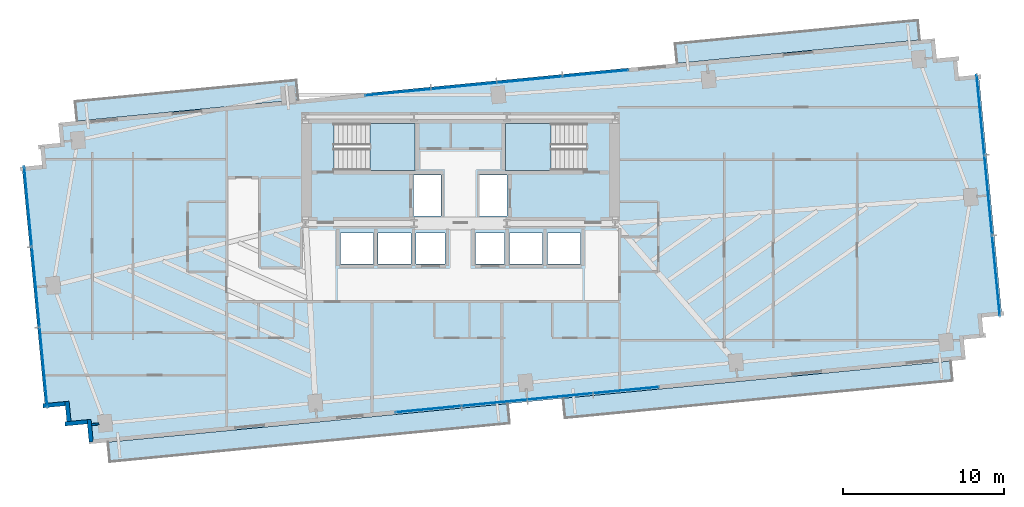
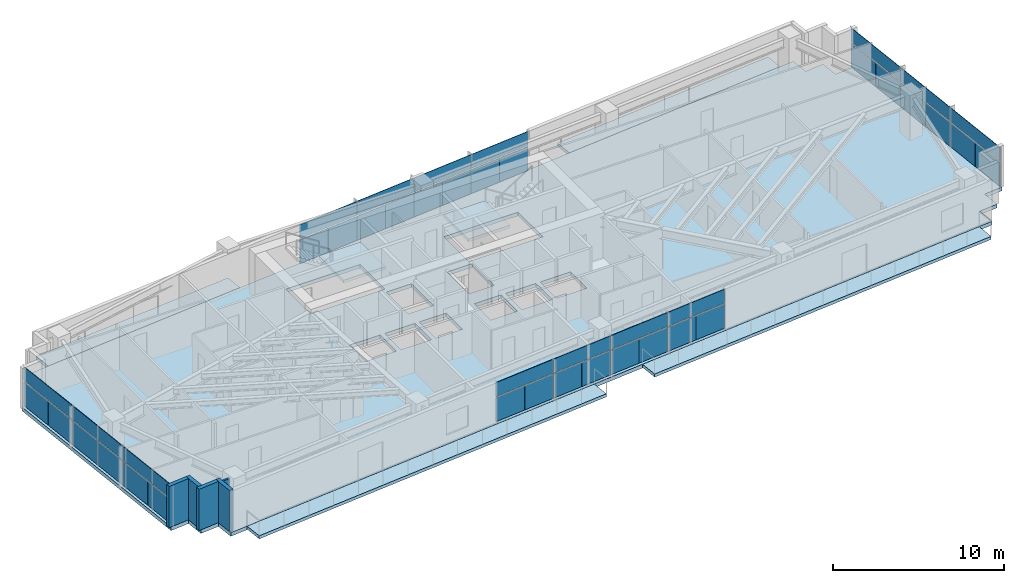
# One storey, part 18 of 25: 42 plates, 7 slabs, 5 walls, 6 elements without a shape of their own.
"""IFC4 building model written with IfcOpenShell, lengths in metres."""

from ifc_helpers import new_model, si_unit, direction, frame, frame_2d, origin, origin_2d, place, context, subcontext, project, spatial, polyline, rectangle, outline, extrude, source, transform, mapped, material, layer, layer_set, type_object, type_shapes, element, aggregate, save


model = new_model("IFC4")

# Units and contexts
model_context = context("Model", 3, precision=1e-05, world=origin(), true_north=direction((0.0, 1.0)))
body_context = subcontext(model_context, "Body", "Model", "MODEL_VIEW")
ifc_project = project(units=[si_unit("LENGTHUNIT", "METRE"), si_unit("AREAUNIT", "SQUARE_METRE"), si_unit("VOLUMEUNIT", "CUBIC_METRE"), si_unit("PLANEANGLEUNIT", "RADIAN"), si_unit("MASSUNIT", "GRAM", prefix="KILO")], contexts=[model_context])

# Site, building, storey
site_placement = place(None, origin())
site = spatial("IfcSite", under=ifc_project, at=site_placement, CompositionType="ELEMENT")
building_placement = place(site_placement, origin())
building = spatial("IfcBuilding", under=site, at=building_placement, Name="Astriad Promenade Condominiums", CompositionType="ELEMENT")
storey_placement = place(building_placement, frame((0.0, 0.0, 100.199951171875)))
storey = spatial("IfcBuildingStorey", under=building, at=storey_placement, Name="L28", CompositionType="ELEMENT", Elevation=100.199951171875)

# Slab
ifc_material_1 = material(Name="Concrete C50/60", Category="concrete")
ifc_layer_1 = layer(ifc_material_1, 0.260009765625)
ifc_layer_set_1 = layer_set([ifc_layer_1], Name="Concrete C50/60")
slab_type_1 = type_object("IfcSlabType", Name="CONCRETE TOWER FLOOR SLAB 260", PredefinedType="FLOOR", material=ifc_layer_set_1)
slab_1_placement = place(storey_placement, frame((0.0, 0.0, -0.260009765625)))
element("IfcSlab", 1, at=slab_1_placement, inside=storey, type_object=slab_type_1, Name="Structural Floor Slab (L28)", PredefinedType="FLOOR", context=body_context, shape_type="SweptSolid", body=[
    extrude(outline(polyline([(12.984130859375, 3.7294921875), (67.332763671875, 8.962646484375), (67.212890625, 10.206787109375), (68.457275390625, 10.32666015625), (68.33740234375, 11.57080078125), (69.58154296875, 11.690673828125), (68.14404296875, 26.62158203125), (66.899658203125, 26.501953125), (66.77978515625, 27.74609375), (65.53564453125, 27.626220703125), (65.416015625, 28.87060546875), (11.067138671875, 23.637451171875), (11.18701171875, 22.39306640625), (9.94287109375, 22.273193359375), (10.0625, 21.029052734375), (8.818359375, 20.9091796875), (10.256103515625, 5.978271484375), (11.500244140625, 6.09814453125), (11.6201171875, 4.85400390625), (12.8642578125, 4.9736328125), (12.984130859375, 3.7294921875)]), holes=[polyline([(28.175048828125, 20.699951171875), (33.175048828125, 20.699951171875), (33.175048828125, 23.60009765625), (28.175048828125, 23.60009765625), (28.175048828125, 20.699951171875)]), polyline([(38.824951171875, 20.699951171875), (43.824951171875, 20.699951171875), (43.824951171875, 23.60009765625), (38.824951171875, 23.60009765625), (38.824951171875, 20.699951171875)]), polyline([(33.10009765625, 17.85009765625), (34.800048828125, 17.85009765625), (34.800048828125, 20.39990234375), (33.10009765625, 20.39990234375), (33.10009765625, 17.85009765625)]), polyline([(37.199951171875, 17.85009765625), (38.89990234375, 17.85009765625), (38.89990234375, 20.39990234375), (37.199951171875, 20.39990234375), (37.199951171875, 17.85009765625)]), polyline([(28.550048828125, 14.89990234375), (30.60009765625, 14.89990234375), (30.60009765625, 16.800048828125), (28.550048828125, 16.800048828125), (28.550048828125, 14.89990234375)]), polyline([(30.89990234375, 14.89990234375), (32.949951171875, 14.89990234375), (32.949951171875, 16.800048828125), (30.89990234375, 16.800048828125), (30.89990234375, 14.89990234375)]), polyline([(33.25, 14.89990234375), (35.050048828125, 14.89990234375), (35.050048828125, 16.800048828125), (33.25, 16.800048828125), (33.25, 14.89990234375)]), polyline([(36.949951171875, 14.89990234375), (38.75, 14.89990234375), (38.75, 16.800048828125), (36.949951171875, 16.800048828125), (36.949951171875, 14.89990234375)]), polyline([(39.050048828125, 14.89990234375), (41.10009765625, 14.89990234375), (41.10009765625, 16.800048828125), (39.050048828125, 16.800048828125), (39.050048828125, 14.89990234375)]), polyline([(41.39990234375, 14.89990234375), (43.449951171875, 14.89990234375), (43.449951171875, 16.800048828125), (41.39990234375, 16.800048828125), (41.39990234375, 14.89990234375)])]), origin(), (0.0, 0.0, 1.0), 0.260009765625),
])

# Stair, slab
stair_type = type_object("IfcStairType", Name="STR-CORE-1350", PredefinedType="HALF_TURN_STAIR", material=ifc_material_1)
stair_1_placement = place(storey_placement, origin())
stair_1 = element("IfcStair", 2, at=stair_1_placement, inside=storey, type_object=stair_type, Name="L28 Enclosed Core Exit Stair ST-1", PredefinedType="HALF_TURN_STAIR")
ifc_layer_2 = layer(ifc_material_1, 0.219970703125)
ifc_layer_set_2 = layer_set([ifc_layer_2], Name="Concrete C50/60")
slab_type_2 = type_object("IfcSlabType", Name="SLB-LANDING-220", PredefinedType="LANDING", material=ifc_layer_set_2)
slab_2_placement = place(storey_placement, frame((0.0, 0.0, 1.400146484375)))
slab_2 = element("IfcSlab", 3, at=slab_2_placement, type_object=slab_type_2, Name="ST-1 landing 1", PredefinedType="LANDING", context=body_context, shape_type="SweptSolid", body=[
    extrude(outline(polyline([(30.389892578125, 20.699951171875), (33.199951171875, 20.699951171875), (33.199951171875, 23.60009765625), (30.389892578125, 23.60009765625), (30.389892578125, 20.699951171875)])), origin(), (0.0, 0.0, 1.0), 0.199951171875),
])
aggregate(stair_1, [slab_2])

stair_2_placement = place(storey_placement, origin())
stair_2 = element("IfcStair", 4, at=stair_2_placement, inside=storey, type_object=stair_type, Name="L28 Enclosed Core Exit Stair ST-2", PredefinedType="HALF_TURN_STAIR")
slab_3_placement = place(storey_placement, frame((0.0, 0.0, 1.400146484375)))
slab_3 = element("IfcSlab", 5, at=slab_3_placement, type_object=slab_type_2, Name="ST-2 landing 1", PredefinedType="LANDING", context=body_context, shape_type="SweptSolid", body=[
    extrude(outline(polyline([(41.610107421875, 23.60009765625), (38.800048828125, 23.60009765625), (38.800048828125, 20.699951171875), (41.610107421875, 20.699951171875), (41.610107421875, 23.60009765625)])), origin(), (0.0, 0.0, 1.0), 0.199951171875),
])
aggregate(stair_2, [slab_3])

# Slabs
ifc_material_2 = material(Name="Precast concrete C50/60", Category="concrete")
ifc_layer_3 = layer(ifc_material_2, 0.219970703125)
ifc_layer_set_3 = layer_set([ifc_layer_3], Name="Precast concrete C50/60")
slab_type_3 = type_object("IfcSlabType", Name="WHITE PRECAST CONCRETE WAVE BALCONY SLAB 220", PredefinedType="FLOOR", material=ifc_layer_set_3)
slab_4_placement = place(storey_placement, frame((0.0, 0.0, -0.219970703125)))
element("IfcSlab", 6, at=slab_4_placement, inside=storey, type_object=slab_type_3, Name="White Precast Wave Balcony Slab BAL-L28-SW", PredefinedType="FLOOR", context=body_context, shape_type="SweptSolid", body=[
    extrude(outline(polyline([(39.049072265625, 5.013671875), (14.2626953125, 2.626953125), (14.14599609375, 3.83935546875), (38.932373046875, 6.225830078125), (39.049072265625, 5.013671875)])), origin(), (0.0, 0.0, 1.0), 0.219970703125),
])
slab_5_placement = place(storey_placement, frame((0.0, 0.0, -0.219970703125)))
element("IfcSlab", 7, at=slab_5_placement, inside=storey, type_object=slab_type_3, Name="White Precast Wave Balcony Slab BAL-L28-SE", PredefinedType="FLOOR", context=body_context, shape_type="SweptSolid", body=[
    extrude(outline(polyline([(66.514892578125, 7.658203125), (42.4921875, 5.34521484375), (42.37548828125, 6.5576171875), (66.398193359375, 8.87060546875), (66.514892578125, 7.658203125)])), origin(), (0.0, 0.0, 1.0), 0.219970703125),
])
slab_6_placement = place(storey_placement, frame((0.0, 0.0, -0.219970703125)))
element("IfcSlab", 8, at=slab_6_placement, inside=storey, type_object=slab_type_3, Name="White Precast Wave Balcony Slab BAL-L28-NW", PredefinedType="FLOOR", context=body_context, shape_type="SweptSolid", body=[
    extrude(outline(polyline([(12.11181640625, 24.963623046875), (25.821533203125, 26.28369140625), (25.938232421875, 25.0712890625), (12.228759765625, 23.751220703125), (12.11181640625, 24.963623046875)])), origin(), (0.0, 0.0, 1.0), 0.219970703125),
])
slab_7_placement = place(storey_placement, frame((0.0, 0.0, -0.219970703125)))
element("IfcSlab", 9, at=slab_7_placement, inside=storey, type_object=slab_type_3, Name="White Precast Wave Balcony Slab BAL-L28-NE", PredefinedType="FLOOR", context=body_context, shape_type="SweptSolid", body=[
    extrude(outline(polyline([(49.32275390625, 28.546630859375), (64.3642578125, 29.994873046875), (64.48095703125, 28.78271484375), (49.439453125, 27.334228515625), (49.32275390625, 28.546630859375)])), origin(), (0.0, 0.0, 1.0), 0.219970703125),
])

# Curtain wall, plates
ifc_material_3 = material(Name="Anodised aluminium Black Dark Glass Unitised", Category="aluminium")
curtain_wall_type = type_object("IfcCurtainWallType", Name="CW-B2-DARK", PredefinedType="USERDEFINED", material=ifc_material_3)
curtain_wall_1_placement = place(storey_placement, origin())
curtain_wall_1 = element("IfcCurtainWall", 10, at=curtain_wall_1_placement, inside=storey, type_object=curtain_wall_type, Name="CW-L28-W", ObjectType="UNITISED_CURTAIN_WALL", PredefinedType="USERDEFINED")
ifc_material_4 = material(Name="Dark Tinted Low-E Laminated Glass", Category="glass")
ifc_layer_4 = layer(ifc_material_4, 0.035888671875)
ifc_layer_set_4 = layer_set([ifc_layer_4], Name="Dark Tinted Low-E Laminated Glass")
plate_type = type_object("IfcPlateType", Name="PNL-DARK-GLASS-36", PredefinedType="CURTAIN_PANEL", material=ifc_layer_set_4)
shared_shape_1 = source(origin(), body_context, "Body", "SweptSolid", [
    extrude(rectangle(XDim=2.488037109375, YDim=0.035888671875, at=origin_2d()), origin(), (0.0, 0.0, 1.0), 1.702880859375),
])
plate_1_placement = place(storey_placement, frame((10.265625, 7.235107421875, 0.080078125), z_axis=(0.0, 0.0, 1.0), x_axis=(-0.09584575252, 0.995396198367, 0.0)))
plate_1 = element("IfcPlate", 11, at=plate_1_placement, type_object=plate_type, Name="CW-L28-W-PNL-00-VL", PredefinedType="CURTAIN_PANEL", context=body_context, shape_type="MappedRepresentation", body=[
    mapped(shared_shape_1, transform((0.0, 0.0, 0.0), scale=1.0)),
])
plate_2_placement = place(storey_placement, frame((10.02587890625, 9.723388671875, 0.080078125), z_axis=(0.0, 0.0, 1.0), x_axis=(-0.09584575252, 0.995396198367, 0.0)))
plate_2 = element("IfcPlate", 12, at=plate_2_placement, type_object=plate_type, Name="CW-L28-W-PNL-00-VR", PredefinedType="CURTAIN_PANEL", context=body_context, shape_type="MappedRepresentation", body=[
    mapped(shared_shape_1, transform((0.0, 0.0, 0.0), scale=1.0)),
])
plate_3_placement = place(storey_placement, frame((9.786376953125, 12.212158203125, 0.080078125), z_axis=(0.0, 0.0, 1.0), x_axis=(-0.09584575252, 0.995396198367, 0.0)))
plate_3 = element("IfcPlate", 13, at=plate_3_placement, type_object=plate_type, Name="CW-L28-W-PNL-01-VL", PredefinedType="CURTAIN_PANEL", context=body_context, shape_type="MappedRepresentation", body=[
    mapped(shared_shape_1, transform((0.0, 0.0, 0.0), scale=1.0)),
])
plate_4_placement = place(storey_placement, frame((9.546875, 14.700439453125, 0.080078125), z_axis=(0.0, 0.0, 1.0), x_axis=(-0.09584575252, 0.995396198367, 0.0)))
plate_4 = element("IfcPlate", 14, at=plate_4_placement, type_object=plate_type, Name="CW-L28-W-PNL-01-VR", PredefinedType="CURTAIN_PANEL", context=body_context, shape_type="MappedRepresentation", body=[
    mapped(shared_shape_1, transform((0.0, 0.0, 0.0), scale=1.0)),
])
plate_5_placement = place(storey_placement, frame((9.30712890625, 17.189208984375, 0.080078125), z_axis=(0.0, 0.0, 1.0), x_axis=(-0.09584575252, 0.995396198367, 0.0)))
plate_5 = element("IfcPlate", 15, at=plate_5_placement, type_object=plate_type, Name="CW-L28-W-PNL-02-VL", PredefinedType="CURTAIN_PANEL", context=body_context, shape_type="MappedRepresentation", body=[
    mapped(shared_shape_1, transform((0.0, 0.0, 0.0), scale=1.0)),
])
plate_6_placement = place(storey_placement, frame((9.067626953125, 19.677490234375, 0.080078125), z_axis=(0.0, 0.0, 1.0), x_axis=(-0.09584575252, 0.995396198367, 0.0)))
plate_6 = element("IfcPlate", 16, at=plate_6_placement, type_object=plate_type, Name="CW-L28-W-PNL-02-VR", PredefinedType="CURTAIN_PANEL", context=body_context, shape_type="MappedRepresentation", body=[
    mapped(shared_shape_1, transform((0.0, 0.0, 0.0), scale=1.0)),
])

curtain_wall_2_placement = place(storey_placement, origin())
curtain_wall_2 = element("IfcCurtainWall", 17, at=curtain_wall_2_placement, inside=storey, type_object=curtain_wall_type, Name="CW-L28-E", ObjectType="UNITISED_CURTAIN_WALL", PredefinedType="USERDEFINED")
plate_7_placement = place(storey_placement, frame((68.134521484375, 25.364990234375, 0.080078125), z_axis=(0.0, 0.0, 1.0), x_axis=(0.09584575252, -0.995396198367, 0.0)))
plate_7 = element("IfcPlate", 18, at=plate_7_placement, type_object=plate_type, Name="CW-L28-E-PNL-00-VL", PredefinedType="CURTAIN_PANEL", context=body_context, shape_type="MappedRepresentation", body=[
    mapped(shared_shape_1, transform((0.0, 0.0, 0.0), scale=1.0)),
])
plate_8_placement = place(storey_placement, frame((68.3740234375, 22.87646484375, 0.080078125), z_axis=(0.0, 0.0, 1.0), x_axis=(0.09584575252, -0.995396198367, 0.0)))
plate_8 = element("IfcPlate", 19, at=plate_8_placement, type_object=plate_type, Name="CW-L28-E-PNL-00-VR", PredefinedType="CURTAIN_PANEL", context=body_context, shape_type="MappedRepresentation", body=[
    mapped(shared_shape_1, transform((0.0, 0.0, 0.0), scale=1.0)),
])
plate_9_placement = place(storey_placement, frame((68.613525390625, 20.387939453125, 0.080078125), z_axis=(0.0, 0.0, 1.0), x_axis=(0.09584575252, -0.995396198367, 0.0)))
plate_9 = element("IfcPlate", 20, at=plate_9_placement, type_object=plate_type, Name="CW-L28-E-PNL-01-VL", PredefinedType="CURTAIN_PANEL", context=body_context, shape_type="MappedRepresentation", body=[
    mapped(shared_shape_1, transform((0.0, 0.0, 0.0), scale=1.0)),
])
plate_10_placement = place(storey_placement, frame((68.853271484375, 17.8994140625, 0.080078125), z_axis=(0.0, 0.0, 1.0), x_axis=(0.09584575252, -0.995396198367, 0.0)))
plate_10 = element("IfcPlate", 21, at=plate_10_placement, type_object=plate_type, Name="CW-L28-E-PNL-01-VR", PredefinedType="CURTAIN_PANEL", context=body_context, shape_type="MappedRepresentation", body=[
    mapped(shared_shape_1, transform((0.0, 0.0, 0.0), scale=1.0)),
])
plate_11_placement = place(storey_placement, frame((69.0927734375, 15.410888671875, 0.080078125), z_axis=(0.0, 0.0, 1.0), x_axis=(0.09584575252, -0.995396198367, 0.0)))
plate_11 = element("IfcPlate", 22, at=plate_11_placement, type_object=plate_type, Name="CW-L28-E-PNL-02-VL", PredefinedType="CURTAIN_PANEL", context=body_context, shape_type="MappedRepresentation", body=[
    mapped(shared_shape_1, transform((0.0, 0.0, 0.0), scale=1.0)),
])
plate_12_placement = place(storey_placement, frame((69.33251953125, 12.922607421875, 0.080078125), z_axis=(0.0, 0.0, 1.0), x_axis=(0.09584575252, -0.995396198367, 0.0)))
plate_12 = element("IfcPlate", 23, at=plate_12_placement, type_object=plate_type, Name="CW-L28-E-PNL-02-VR", PredefinedType="CURTAIN_PANEL", context=body_context, shape_type="MappedRepresentation", body=[
    mapped(shared_shape_1, transform((0.0, 0.0, 0.0), scale=1.0)),
])

# Plate
shared_shape_2 = source(origin(), body_context, "Body", "SweptSolid", [
    extrude(rectangle(XDim=4.988037109375, YDim=0.035888671875, at=origin_2d()), origin(), (0.0, 0.0, 1.0), 0.997314453125),
])
plate_13_placement = place(storey_placement, frame((10.145751953125, 8.479248046875, 1.86279296875), z_axis=(0.0, 0.0, 1.0), x_axis=(-0.09584575252, 0.995396198367, 0.0)))
plate_13 = element("IfcPlate", 24, at=plate_13_placement, type_object=plate_type, Name="CW-L28-W-PNL-00-S", PredefinedType="CURTAIN_PANEL", context=body_context, shape_type="MappedRepresentation", body=[
    mapped(shared_shape_2, transform((0.0, 0.0, 0.0), scale=1.0)),
])

plate_14_placement = place(storey_placement, frame((9.66650390625, 13.456298828125, 1.86279296875), z_axis=(0.0, 0.0, 1.0), x_axis=(-0.09584575252, 0.995396198367, 0.0)))
plate_14 = element("IfcPlate", 25, at=plate_14_placement, type_object=plate_type, Name="CW-L28-W-PNL-01-S", PredefinedType="CURTAIN_PANEL", context=body_context, shape_type="MappedRepresentation", body=[
    mapped(shared_shape_2, transform((0.0, 0.0, 0.0), scale=1.0)),
])

plate_15_placement = place(storey_placement, frame((9.1875, 18.433349609375, 1.86279296875), z_axis=(0.0, 0.0, 1.0), x_axis=(-0.09584575252, 0.995396198367, 0.0)))
plate_15 = element("IfcPlate", 26, at=plate_15_placement, type_object=plate_type, Name="CW-L28-W-PNL-02-S", PredefinedType="CURTAIN_PANEL", context=body_context, shape_type="MappedRepresentation", body=[
    mapped(shared_shape_2, transform((0.0, 0.0, 0.0), scale=1.0)),
])

aggregate(curtain_wall_1, [plate_1, plate_2, plate_13, plate_3, plate_4, plate_14, plate_5, plate_6, plate_15])

plate_16_placement = place(storey_placement, frame((68.254150390625, 24.12060546875, 1.86279296875), z_axis=(0.0, 0.0, 1.0), x_axis=(0.09584575252, -0.995396198367, 0.0)))
plate_16 = element("IfcPlate", 27, at=plate_16_placement, type_object=plate_type, Name="CW-L28-E-PNL-00-S", PredefinedType="CURTAIN_PANEL", context=body_context, shape_type="MappedRepresentation", body=[
    mapped(shared_shape_2, transform((0.0, 0.0, 0.0), scale=1.0)),
])

plate_17_placement = place(storey_placement, frame((68.7333984375, 19.143798828125, 1.86279296875), z_axis=(0.0, 0.0, 1.0), x_axis=(0.09584575252, -0.995396198367, 0.0)))
plate_17 = element("IfcPlate", 28, at=plate_17_placement, type_object=plate_type, Name="CW-L28-E-PNL-01-S", PredefinedType="CURTAIN_PANEL", context=body_context, shape_type="MappedRepresentation", body=[
    mapped(shared_shape_2, transform((0.0, 0.0, 0.0), scale=1.0)),
])

plate_18_placement = place(storey_placement, frame((69.212646484375, 14.166748046875, 1.86279296875), z_axis=(0.0, 0.0, 1.0), x_axis=(0.09584575252, -0.995396198367, 0.0)))
plate_18 = element("IfcPlate", 29, at=plate_18_placement, type_object=plate_type, Name="CW-L28-E-PNL-02-S", PredefinedType="CURTAIN_PANEL", context=body_context, shape_type="MappedRepresentation", body=[
    mapped(shared_shape_2, transform((0.0, 0.0, 0.0), scale=1.0)),
])

aggregate(curtain_wall_2, [plate_7, plate_8, plate_16, plate_9, plate_10, plate_17, plate_11, plate_12, plate_18])

# Curtain wall, plates
curtain_wall_3_placement = place(storey_placement, origin())
curtain_wall_3 = element("IfcCurtainWall", 30, at=curtain_wall_3_placement, inside=storey, type_object=curtain_wall_type, Name="CW-L28-N", ObjectType="UNITISED_CURTAIN_WALL", PredefinedType="USERDEFINED")
shared_shape_3 = source(origin(), body_context, "Body", "SweptSolid", [
    extrude(rectangle(XDim=2.035400390625, YDim=0.035888671875, at=origin_2d()), origin(), (0.0, 0.0, 1.0), 1.702880859375),
])
plate_19_placement = place(storey_placement, frame((31.12060546875, 25.437744140625, 0.080078125), z_axis=(0.0, 0.0, 1.0), x_axis=(0.995396198367, 0.09584575252, 0.0)))
plate_19 = element("IfcPlate", 31, at=plate_19_placement, type_object=plate_type, Name="CW-L28-N-PNL-00-VL", PredefinedType="CURTAIN_PANEL", context=body_context, shape_type="MappedRepresentation", body=[
    mapped(shared_shape_3, transform((0.0, 0.0, 0.0), scale=1.0)),
])
plate_20_placement = place(storey_placement, frame((33.15869140625, 25.634033203125, 0.080078125), z_axis=(0.0, 0.0, 1.0), x_axis=(0.995396198367, 0.09584575252, 0.0)))
plate_20 = element("IfcPlate", 32, at=plate_20_placement, type_object=plate_type, Name="CW-L28-N-PNL-00-VR", PredefinedType="CURTAIN_PANEL", context=body_context, shape_type="MappedRepresentation", body=[
    mapped(shared_shape_3, transform((0.0, 0.0, 0.0), scale=1.0)),
])
plate_21_placement = place(storey_placement, frame((35.19677734375, 25.830078125, 0.080078125), z_axis=(0.0, 0.0, 1.0), x_axis=(0.995396198367, 0.09584575252, 0.0)))
plate_21 = element("IfcPlate", 33, at=plate_21_placement, type_object=plate_type, Name="CW-L28-N-PNL-01-VL", PredefinedType="CURTAIN_PANEL", context=body_context, shape_type="MappedRepresentation", body=[
    mapped(shared_shape_3, transform((0.0, 0.0, 0.0), scale=1.0)),
])
plate_22_placement = place(storey_placement, frame((37.23486328125, 26.026611328125, 0.080078125), z_axis=(0.0, 0.0, 1.0), x_axis=(0.995396198367, 0.09584575252, 0.0)))
plate_22 = element("IfcPlate", 34, at=plate_22_placement, type_object=plate_type, Name="CW-L28-N-PNL-01-VR", PredefinedType="CURTAIN_PANEL", context=body_context, shape_type="MappedRepresentation", body=[
    mapped(shared_shape_3, transform((0.0, 0.0, 0.0), scale=1.0)),
])
plate_23_placement = place(storey_placement, frame((39.27294921875, 26.22265625, 0.080078125), z_axis=(0.0, 0.0, 1.0), x_axis=(0.995396198367, 0.09584575252, 0.0)))
plate_23 = element("IfcPlate", 35, at=plate_23_placement, type_object=plate_type, Name="CW-L28-N-PNL-02-VL", PredefinedType="CURTAIN_PANEL", context=body_context, shape_type="MappedRepresentation", body=[
    mapped(shared_shape_3, transform((0.0, 0.0, 0.0), scale=1.0)),
])
plate_24_placement = place(storey_placement, frame((41.31103515625, 26.4189453125, 0.080078125), z_axis=(0.0, 0.0, 1.0), x_axis=(0.995396198367, 0.09584575252, 0.0)))
plate_24 = element("IfcPlate", 36, at=plate_24_placement, type_object=plate_type, Name="CW-L28-N-PNL-02-VR", PredefinedType="CURTAIN_PANEL", context=body_context, shape_type="MappedRepresentation", body=[
    mapped(shared_shape_3, transform((0.0, 0.0, 0.0), scale=1.0)),
])
plate_25_placement = place(storey_placement, frame((43.34912109375, 26.615234375, 0.080078125), z_axis=(0.0, 0.0, 1.0), x_axis=(0.995396198367, 0.09584575252, 0.0)))
plate_25 = element("IfcPlate", 37, at=plate_25_placement, type_object=plate_type, Name="CW-L28-N-PNL-03-VL", PredefinedType="CURTAIN_PANEL", context=body_context, shape_type="MappedRepresentation", body=[
    mapped(shared_shape_3, transform((0.0, 0.0, 0.0), scale=1.0)),
])
plate_26_placement = place(storey_placement, frame((45.38720703125, 26.8115234375, 0.080078125), z_axis=(0.0, 0.0, 1.0), x_axis=(0.995396198367, 0.09584575252, 0.0)))
plate_26 = element("IfcPlate", 38, at=plate_26_placement, type_object=plate_type, Name="CW-L28-N-PNL-03-VR", PredefinedType="CURTAIN_PANEL", context=body_context, shape_type="MappedRepresentation", body=[
    mapped(shared_shape_3, transform((0.0, 0.0, 0.0), scale=1.0)),
])

curtain_wall_4_placement = place(storey_placement, origin())
curtain_wall_4 = element("IfcCurtainWall", 39, at=curtain_wall_4_placement, inside=storey, type_object=curtain_wall_type, Name="CW-L28-S", ObjectType="UNITISED_CURTAIN_WALL", PredefinedType="USERDEFINED")
plate_27_placement = place(storey_placement, frame((47.279296875, 7.162353515625, 0.080078125), z_axis=(0.0, 0.0, 1.0), x_axis=(-0.995396198367, -0.09584575252, 0.0)))
plate_27 = element("IfcPlate", 40, at=plate_27_placement, type_object=plate_type, Name="CW-L28-S-PNL-00-VL", PredefinedType="CURTAIN_PANEL", context=body_context, shape_type="MappedRepresentation", body=[
    mapped(shared_shape_3, transform((0.0, 0.0, 0.0), scale=1.0)),
])
plate_28_placement = place(storey_placement, frame((45.2412109375, 6.966064453125, 0.080078125), z_axis=(0.0, 0.0, 1.0), x_axis=(-0.995396198367, -0.09584575252, 0.0)))
plate_28 = element("IfcPlate", 41, at=plate_28_placement, type_object=plate_type, Name="CW-L28-S-PNL-00-VR", PredefinedType="CURTAIN_PANEL", context=body_context, shape_type="MappedRepresentation", body=[
    mapped(shared_shape_3, transform((0.0, 0.0, 0.0), scale=1.0)),
])
plate_29_placement = place(storey_placement, frame((43.203125, 6.769775390625, 0.080078125), z_axis=(0.0, 0.0, 1.0), x_axis=(-0.995396198367, -0.09584575252, 0.0)))
plate_29 = element("IfcPlate", 42, at=plate_29_placement, type_object=plate_type, Name="CW-L28-S-PNL-01-VL", PredefinedType="CURTAIN_PANEL", context=body_context, shape_type="MappedRepresentation", body=[
    mapped(shared_shape_3, transform((0.0, 0.0, 0.0), scale=1.0)),
])
plate_30_placement = place(storey_placement, frame((41.1650390625, 6.573486328125, 0.080078125), z_axis=(0.0, 0.0, 1.0), x_axis=(-0.995396198367, -0.09584575252, 0.0)))
plate_30 = element("IfcPlate", 43, at=plate_30_placement, type_object=plate_type, Name="CW-L28-S-PNL-01-VR", PredefinedType="CURTAIN_PANEL", context=body_context, shape_type="MappedRepresentation", body=[
    mapped(shared_shape_3, transform((0.0, 0.0, 0.0), scale=1.0)),
])
plate_31_placement = place(storey_placement, frame((39.126953125, 6.377197265625, 0.080078125), z_axis=(0.0, 0.0, 1.0), x_axis=(-0.995396198367, -0.09584575252, 0.0)))
plate_31 = element("IfcPlate", 44, at=plate_31_placement, type_object=plate_type, Name="CW-L28-S-PNL-02-VL", PredefinedType="CURTAIN_PANEL", context=body_context, shape_type="MappedRepresentation", body=[
    mapped(shared_shape_3, transform((0.0, 0.0, 0.0), scale=1.0)),
])
plate_32_placement = place(storey_placement, frame((37.0888671875, 6.180908203125, 0.080078125), z_axis=(0.0, 0.0, 1.0), x_axis=(-0.995396198367, -0.09584575252, 0.0)))
plate_32 = element("IfcPlate", 45, at=plate_32_placement, type_object=plate_type, Name="CW-L28-S-PNL-02-VR", PredefinedType="CURTAIN_PANEL", context=body_context, shape_type="MappedRepresentation", body=[
    mapped(shared_shape_3, transform((0.0, 0.0, 0.0), scale=1.0)),
])
plate_33_placement = place(storey_placement, frame((35.05078125, 5.98486328125, 0.080078125), z_axis=(0.0, 0.0, 1.0), x_axis=(-0.995396198367, -0.09584575252, 0.0)))
plate_33 = element("IfcPlate", 46, at=plate_33_placement, type_object=plate_type, Name="CW-L28-S-PNL-03-VL", PredefinedType="CURTAIN_PANEL", context=body_context, shape_type="MappedRepresentation", body=[
    mapped(shared_shape_3, transform((0.0, 0.0, 0.0), scale=1.0)),
])
plate_34_placement = place(storey_placement, frame((33.0126953125, 5.78857421875, 0.080078125), z_axis=(0.0, 0.0, 1.0), x_axis=(-0.995396198367, -0.09584575252, 0.0)))
plate_34 = element("IfcPlate", 47, at=plate_34_placement, type_object=plate_type, Name="CW-L28-S-PNL-03-VR", PredefinedType="CURTAIN_PANEL", context=body_context, shape_type="MappedRepresentation", body=[
    mapped(shared_shape_3, transform((0.0, 0.0, 0.0), scale=1.0)),
])

# Plate
shared_shape_4 = source(origin(), body_context, "Body", "SweptSolid", [
    extrude(rectangle(XDim=4.0830078125, YDim=0.035888671875, at=origin_2d()), origin(), (0.0, 0.0, 1.0), 0.997314453125),
])
type_shapes(plate_type, [shared_shape_1, shared_shape_2, shared_shape_3, shared_shape_4])
plate_35_placement = place(storey_placement, frame((32.1396484375, 25.535888671875, 1.86279296875), z_axis=(0.0, 0.0, 1.0), x_axis=(0.995396198367, 0.09584575252, 0.0)))
plate_35 = element("IfcPlate", 48, at=plate_35_placement, type_object=plate_type, Name="CW-L28-N-PNL-00-S", PredefinedType="CURTAIN_PANEL", context=body_context, shape_type="MappedRepresentation", body=[
    mapped(shared_shape_4, transform((0.0, 0.0, 0.0), scale=1.0)),
])

plate_36_placement = place(storey_placement, frame((36.2158203125, 25.928466796875, 1.86279296875), z_axis=(0.0, 0.0, 1.0), x_axis=(0.995396198367, 0.09584575252, 0.0)))
plate_36 = element("IfcPlate", 49, at=plate_36_placement, type_object=plate_type, Name="CW-L28-N-PNL-01-S", PredefinedType="CURTAIN_PANEL", context=body_context, shape_type="MappedRepresentation", body=[
    mapped(shared_shape_4, transform((0.0, 0.0, 0.0), scale=1.0)),
])

plate_37_placement = place(storey_placement, frame((40.2919921875, 26.32080078125, 1.86279296875), z_axis=(0.0, 0.0, 1.0), x_axis=(0.995396198367, 0.09584575252, 0.0)))
plate_37 = element("IfcPlate", 50, at=plate_37_placement, type_object=plate_type, Name="CW-L28-N-PNL-02-S", PredefinedType="CURTAIN_PANEL", context=body_context, shape_type="MappedRepresentation", body=[
    mapped(shared_shape_4, transform((0.0, 0.0, 0.0), scale=1.0)),
])

plate_38_placement = place(storey_placement, frame((44.368408203125, 26.71337890625, 1.86279296875), z_axis=(0.0, 0.0, 1.0), x_axis=(0.995396198367, 0.09584575252, 0.0)))
plate_38 = element("IfcPlate", 51, at=plate_38_placement, type_object=plate_type, Name="CW-L28-N-PNL-03-S", PredefinedType="CURTAIN_PANEL", context=body_context, shape_type="MappedRepresentation", body=[
    mapped(shared_shape_4, transform((0.0, 0.0, 0.0), scale=1.0)),
])

aggregate(curtain_wall_3, [plate_19, plate_20, plate_35, plate_21, plate_22, plate_36, plate_23, plate_24, plate_37, plate_25, plate_26, plate_38])

plate_39_placement = place(storey_placement, frame((46.26025390625, 7.064208984375, 1.86279296875), z_axis=(0.0, 0.0, 1.0), x_axis=(-0.995396198367, -0.09584575252, 0.0)))
plate_39 = element("IfcPlate", 52, at=plate_39_placement, type_object=plate_type, Name="CW-L28-S-PNL-00-S", PredefinedType="CURTAIN_PANEL", context=body_context, shape_type="MappedRepresentation", body=[
    mapped(shared_shape_4, transform((0.0, 0.0, 0.0), scale=1.0)),
])

plate_40_placement = place(storey_placement, frame((42.18408203125, 6.671630859375, 1.86279296875), z_axis=(0.0, 0.0, 1.0), x_axis=(-0.995396198367, -0.09584575252, 0.0)))
plate_40 = element("IfcPlate", 53, at=plate_40_placement, type_object=plate_type, Name="CW-L28-S-PNL-01-S", PredefinedType="CURTAIN_PANEL", context=body_context, shape_type="MappedRepresentation", body=[
    mapped(shared_shape_4, transform((0.0, 0.0, 0.0), scale=1.0)),
])

plate_41_placement = place(storey_placement, frame((38.10791015625, 6.279052734375, 1.86279296875), z_axis=(0.0, 0.0, 1.0), x_axis=(-0.995396198367, -0.09584575252, 0.0)))
plate_41 = element("IfcPlate", 54, at=plate_41_placement, type_object=plate_type, Name="CW-L28-S-PNL-02-S", PredefinedType="CURTAIN_PANEL", context=body_context, shape_type="MappedRepresentation", body=[
    mapped(shared_shape_4, transform((0.0, 0.0, 0.0), scale=1.0)),
])

plate_42_placement = place(storey_placement, frame((34.03173828125, 5.88671875, 1.86279296875), z_axis=(0.0, 0.0, 1.0), x_axis=(-0.995396198367, -0.09584575252, 0.0)))
plate_42 = element("IfcPlate", 55, at=plate_42_placement, type_object=plate_type, Name="CW-L28-S-PNL-03-S", PredefinedType="CURTAIN_PANEL", context=body_context, shape_type="MappedRepresentation", body=[
    mapped(shared_shape_4, transform((0.0, 0.0, 0.0), scale=1.0)),
])

aggregate(curtain_wall_4, [plate_27, plate_28, plate_39, plate_29, plate_30, plate_40, plate_31, plate_32, plate_41, plate_33, plate_34, plate_42])

# Walls
ifc_layer_5 = layer(ifc_material_2, 0.260009765625)
ifc_layer_set_5 = layer_set([ifc_layer_5], Name="Precast concrete C50/60")
wall_type_1 = type_object("IfcWallType", Name="WALL-EXT-TWR-260", PredefinedType="STANDARD", material=ifc_layer_set_5)
for number, where, z_axis, x_axis, name in (
    (56, (12.86669921875, 5.1044921875, 0.0), (0.0, 0.0, 1.0), (-0.995389446633, -0.095915846097, 0.0), "W-SER-L28-00"),
    (57, (11.738525390625, 4.98095703125, 0.0), (0.0, 0.0, 1.0), (-0.095915846097, 0.995389446633, 0.0), "W-SER-L28-01"),
):
    element("IfcWall", number, at=place(storey_placement, frame(where, z_axis=z_axis, x_axis=x_axis)), inside=storey, type_object=wall_type_1, Name=name, PredefinedType="STANDARD", context=body_context, shape_type="SweptSolid", body=[
        extrude(rectangle(XDim=1.394775390625, YDim=0.260009765625, at=frame_2d((0.697265625, 0.0))), origin(), (0.0, 0.0, 1.0), 2.93994140625),
    ])
for number, where, z_axis, x_axis, name in (
    (58, (11.502685546875, 6.22900390625, 0.0), (0.0, 0.0, 1.0), (-0.995391056452, -0.09589913835, 0.0), "W-SER-L28-02"),
    (59, (13.1025390625, 3.8564453125, 0.0), (0.0, 0.0, 1.0), (-0.09589913835, 0.995391056452, 0.0), "W-SER-L28-19"),
):
    element("IfcWall", number, at=place(storey_placement, frame(where, z_axis=z_axis, x_axis=x_axis)), inside=storey, type_object=wall_type_1, Name=name, PredefinedType="STANDARD", context=body_context, shape_type="SweptSolid", body=[
        extrude(rectangle(XDim=1.39501953125, YDim=0.260009765625, at=frame_2d((0.697509765625, 0.0))), origin(), (0.0, 0.0, 1.0), 2.93994140625),
    ])
ifc_material_5 = material(Name="Acoustic Metal-Stud Gypsum Partition")
ifc_layer_6 = layer(ifc_material_5, 0.1201171875)
ifc_layer_set_6 = layer_set([ifc_layer_6], Name="Acoustic Metal-Stud Gypsum Partition")
wall_type_2 = type_object("IfcWallType", Name="WALL-PART-120", PredefinedType="PARTITIONING", material=ifc_layer_set_6)
wall_placement = place(storey_placement, frame((13.587646484375, 4.972900390625, 0.0), z_axis=(0.0, 0.0, 1.0), x_axis=(-0.995435366701, -0.095438098896, 0.0)))
element("IfcWall", 60, at=wall_placement, inside=storey, type_object=wall_type_2, Name="PT-PIL-L28-PC01-8", PredefinedType="PARTITIONING", context=body_context, shape_type="SweptSolid", body=[
    extrude(rectangle(XDim=0.4580078125, YDim=0.1201171875, at=frame_2d((0.22900390625, 0.0))), origin(), (0.0, 0.0, 1.0), 2.93994140625),
])

save(model, "model.ifc")
